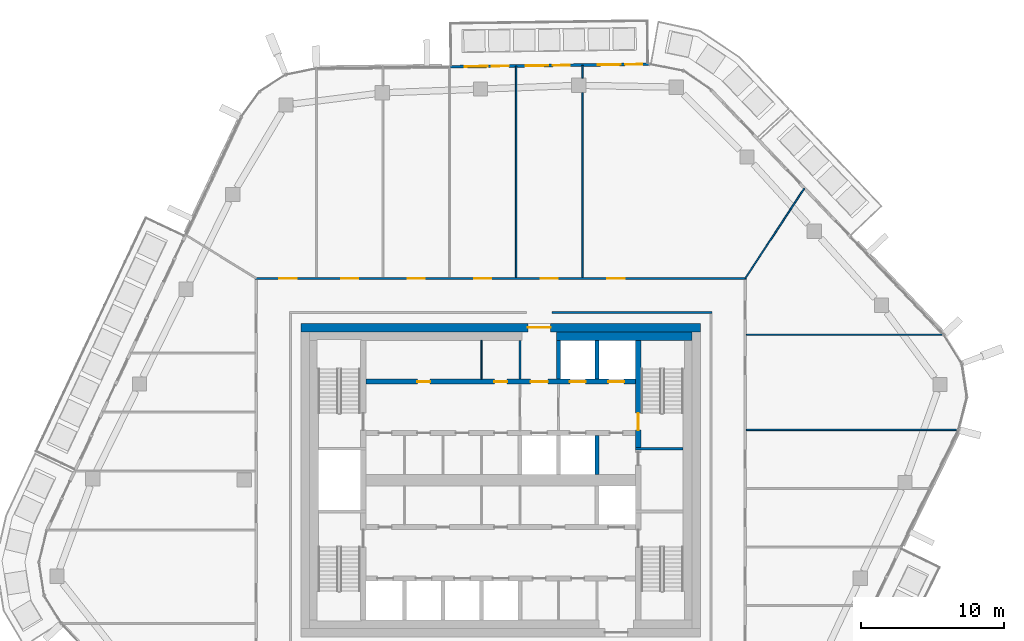
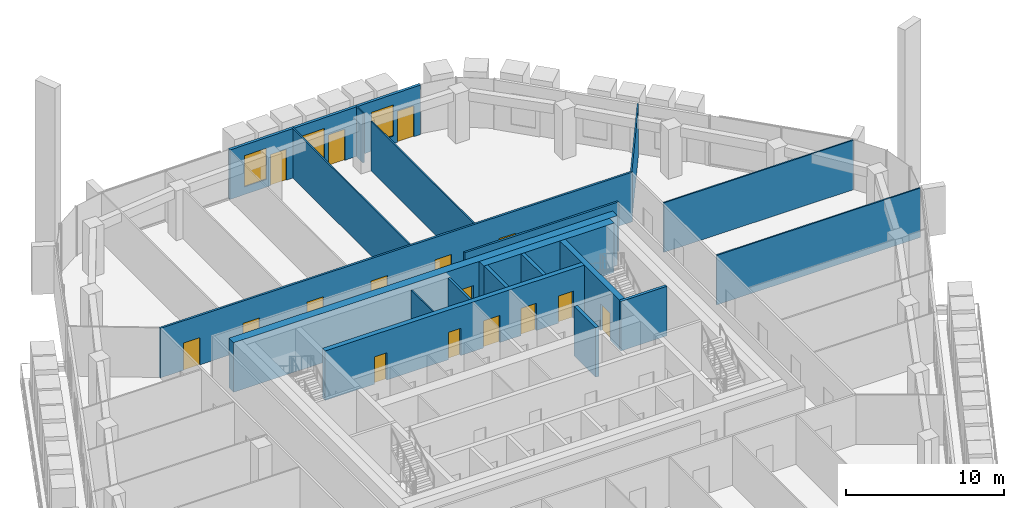
# One storey, part 16 of 24: 19 walls, 16 doors, 3 windows, 19 openings.
"""IFC4 building model written with IfcOpenShell, lengths in metres."""

from ifc_helpers import new_model, si_unit, direction, frame, frame_2d, origin, place, context, subcontext, project, spatial, rectangle, extrude, material, layer, layer_set, type_object, element, fill, save


model = new_model("IFC4")

# Units and contexts
model_context = context("Model", 3, precision=1e-05, world=origin(), true_north=direction((0.0, 1.0)))
body_context = subcontext(model_context, "Body", "Model", "MODEL_VIEW")
ifc_project = project(units=[si_unit("LENGTHUNIT", "METRE"), si_unit("AREAUNIT", "SQUARE_METRE"), si_unit("VOLUMEUNIT", "CUBIC_METRE"), si_unit("PLANEANGLEUNIT", "RADIAN"), si_unit("MASSUNIT", "GRAM", prefix="KILO")], contexts=[model_context])

# Site, building, storey
site_placement = place(None, origin())
site = spatial("IfcSite", under=ifc_project, at=site_placement, CompositionType="ELEMENT")
building_placement = place(site_placement, origin())
building = spatial("IfcBuilding", under=site, at=building_placement, Name="Dongbaek Canopy Tower", CompositionType="ELEMENT")
storey_placement = place(building_placement, frame((0.0, 0.0, 332.0)))
storey = spatial("IfcBuildingStorey", under=building, at=storey_placement, Name="L71", CompositionType="ELEMENT", Elevation=332.0)

# Wall, openings, doors
ifc_material_1 = material(Name="Concrete C60/75", Category="concrete")
ifc_layer_1 = layer(ifc_material_1, 0.35009765625)
ifc_layer_set_1 = layer_set([ifc_layer_1], Name="Core lobby wall 350 Concrete C60/75")
wall_type_1 = type_object("IfcWallType", Name="Core lobby wall 350 Concrete C60/75", PredefinedType="SHEAR", material=ifc_layer_set_1)
wall_1_placement = place(storey_placement, frame((-9.449951171875, 6.89990234375, 0.0), z_axis=(0.0, 0.0, 1.0), x_axis=(1.0, 0.0, 0.0)))
wall_1 = element("IfcWall", 1, at=wall_1_placement, inside=storey, type_object=wall_type_1, Name="Core wall", PredefinedType="SHEAR", context=body_context, shape_type="SweptSolid", body=[
    extrude(rectangle(XDim=18.89990234375, YDim=0.35009765625, at=frame_2d((9.449951171875, 0.0))), origin(), (0.0, 0.0, 1.0), 3.820068359375),
])
opening_1_placement = place(wall_1_placement, frame((11.550048828125, 0.0, 0.0)))
opening_1 = element("IfcOpeningElement", 2, at=opening_1_placement, cuts=wall_1, Name="Opening L71-D027", PredefinedType="OPENING", context=body_context, shape_type="SweptSolid", body=[
    extrude(rectangle(XDim=1.199951171875, YDim=2.10009765625, at=frame_2d((0.60009765625, 1.050048828125))), frame((0.0, 0.18505859375, 0.0), z_axis=(0.0, -1.0, 0.0), x_axis=(1.0, 0.0, 0.0)), (0.0, 0.0, 1.0), 0.3701171875),
])
opening_2_placement = place(wall_1_placement, frame((14.300048828125, 0.0, 0.0)))
opening_2 = element("IfcOpeningElement", 3, at=opening_2_placement, cuts=wall_1, Name="Opening L71-D028", PredefinedType="OPENING", context=body_context, shape_type="SweptSolid", body=[
    extrude(rectangle(XDim=1.10009765625, YDim=2.10009765625, at=frame_2d((0.550048828125, 1.050048828125))), frame((0.0, 0.18505859375, 0.0), z_axis=(0.0, -1.0, 0.0), x_axis=(1.0, 0.0, 0.0)), (0.0, 0.0, 1.0), 0.3701171875),
])
opening_3_placement = place(wall_1_placement, frame((17.0, 0.0, 0.0)))
opening_3 = element("IfcOpeningElement", 4, at=opening_3_placement, cuts=wall_1, Name="Opening L71-D029", PredefinedType="OPENING", context=body_context, shape_type="SweptSolid", body=[
    extrude(rectangle(XDim=1.10009765625, YDim=2.10009765625, at=frame_2d((0.550048828125, 1.050048828125))), frame((0.0, 0.18505859375, 0.0), z_axis=(0.0, -1.0, 0.0), x_axis=(1.0, 0.0, 0.0)), (0.0, 0.0, 1.0), 0.3701171875),
])
opening_4_placement = place(wall_1_placement, frame((3.60009765625, 0.0, 0.0)))
opening_4 = element("IfcOpeningElement", 5, at=opening_4_placement, cuts=wall_1, Name="Opening L71-D040", PredefinedType="OPENING", context=body_context, shape_type="SweptSolid", body=[
    extrude(rectangle(XDim=0.89990234375, YDim=2.10009765625, at=frame_2d((0.449951171875, 1.050048828125))), frame((0.0, 0.18505859375, 0.0), z_axis=(0.0, -1.0, 0.0), x_axis=(1.0, 0.0, 0.0)), (0.0, 0.0, 1.0), 0.3701171875),
])
opening_5_placement = place(wall_1_placement, frame((9.0, 0.0, 0.0)))
opening_5 = element("IfcOpeningElement", 6, at=opening_5_placement, cuts=wall_1, Name="Opening L71-D041", PredefinedType="OPENING", context=body_context, shape_type="SweptSolid", body=[
    extrude(rectangle(XDim=0.89990234375, YDim=2.10009765625, at=frame_2d((0.449951171875, 1.050048828125))), frame((0.0, 0.18505859375, 0.0), z_axis=(0.0, -1.0, 0.0), x_axis=(1.0, 0.0, 0.0)), (0.0, 0.0, 1.0), 0.3701171875),
])
ifc_material_2 = material(Name="Steel", Category="steel")
door_type_1 = type_object("IfcDoorType", Name="Core room door 900 x 2100", OperationType="SINGLE_SWING_LEFT", PredefinedType="DOOR", material=ifc_material_2)
door_1_placement = place(opening_4_placement, origin())
door_1 = element("IfcDoor", 7, at=door_1_placement, inside=storey, type_object=door_type_1, Name="Door L71-D040", OperationType="SINGLE_SWING_RIGHT", OverallHeight=2.10009765625, OverallWidth=0.89990234375, PredefinedType="DOOR", context=body_context, shape_type="SweptSolid", body=[
    extrude(rectangle(XDim=0.89990234375, YDim=2.10009765625, at=frame_2d((0.449951171875, 1.050048828125))), frame((0.0, 0.02490234375, 0.0), z_axis=(0.0, -1.0, 0.0), x_axis=(1.0, 0.0, 0.0)), (0.0, 0.0, 1.0), 0.050048828125),
])
fill(opening_4, door_1)
door_2_placement = place(opening_5_placement, origin())
door_2 = element("IfcDoor", 8, at=door_2_placement, inside=storey, type_object=door_type_1, Name="Door L71-D041", OperationType="SINGLE_SWING_LEFT", OverallHeight=2.10009765625, OverallWidth=0.89990234375, PredefinedType="DOOR", context=body_context, shape_type="SweptSolid", body=[
    extrude(rectangle(XDim=0.89990234375, YDim=2.10009765625, at=frame_2d((0.449951171875, 1.050048828125))), frame((0.0, 0.02490234375, 0.0), z_axis=(0.0, -1.0, 0.0), x_axis=(1.0, 0.0, 0.0)), (0.0, 0.0, 1.0), 0.050048828125),
])
fill(opening_5, door_2)
ifc_material_3 = material(Name="Steel", Category="steel")
door_type_2 = type_object("IfcDoorType", Name="Fire lobby door 1200 x 2100", OperationType="SINGLE_SWING_LEFT", PredefinedType="DOOR", material=ifc_material_3)
door_3_placement = place(opening_1_placement, origin())
door_3 = element("IfcDoor", 9, at=door_3_placement, inside=storey, type_object=door_type_2, Name="Door L71-D027", OperationType="SINGLE_SWING_LEFT", OverallHeight=2.10009765625, OverallWidth=1.199951171875, PredefinedType="DOOR", context=body_context, shape_type="SweptSolid", body=[
    extrude(rectangle(XDim=1.199951171875, YDim=2.10009765625, at=frame_2d((0.60009765625, 1.050048828125))), frame((0.0, 0.02490234375, 0.0), z_axis=(0.0, -1.0, 0.0), x_axis=(1.0, 0.0, 0.0)), (0.0, 0.0, 1.0), 0.050048828125),
])
fill(opening_1, door_3)
ifc_material_4 = material(Name="Stainless steel", Category="steel")
door_type_3 = type_object("IfcDoorType", Name="Lift landing door 1100 x 2100", OperationType="DOUBLE_DOOR_SLIDING", PredefinedType="DOOR", material=ifc_material_4)
door_4_placement = place(opening_2_placement, origin())
door_4 = element("IfcDoor", 10, at=door_4_placement, inside=storey, type_object=door_type_3, Name="Landing door FF1", OperationType="DOUBLE_DOOR_SLIDING", OverallHeight=2.10009765625, OverallWidth=1.10009765625, PredefinedType="DOOR", context=body_context, shape_type="SweptSolid", body=[
    extrude(rectangle(XDim=1.10009765625, YDim=2.10009765625, at=frame_2d((0.550048828125, 1.050048828125))), frame((0.0, 0.02490234375, 0.0), z_axis=(0.0, -1.0, 0.0), x_axis=(1.0, 0.0, 0.0)), (0.0, 0.0, 1.0), 0.050048828125),
])
fill(opening_2, door_4)
door_5_placement = place(opening_3_placement, origin())
door_5 = element("IfcDoor", 11, at=door_5_placement, inside=storey, type_object=door_type_3, Name="Landing door FF2", OperationType="DOUBLE_DOOR_SLIDING", OverallHeight=2.10009765625, OverallWidth=1.10009765625, PredefinedType="DOOR", context=body_context, shape_type="SweptSolid", body=[
    extrude(rectangle(XDim=1.10009765625, YDim=2.10009765625, at=frame_2d((0.550048828125, 1.050048828125))), frame((0.0, 0.02490234375, 0.0), z_axis=(0.0, -1.0, 0.0), x_axis=(1.0, 0.0, 0.0)), (0.0, 0.0, 1.0), 0.050048828125),
])
fill(opening_3, door_5)

# Wall, opening, door
ifc_material_5 = material(Name="Concrete C80/95", Category="concrete")
ifc_layer_2 = layer(ifc_material_5, 0.60009765625)
ifc_layer_set_2 = layer_set([ifc_layer_2], Name="Core outer wall 600 Concrete C80/95")
wall_type_2 = type_object("IfcWallType", Name="Core outer wall 600 Concrete C80/95", PredefinedType="SHEAR", material=ifc_layer_set_2)
wall_2_placement = place(storey_placement, frame((-14.0, 10.699951171875, 0.0), z_axis=(0.0, 0.0, 1.0), x_axis=(1.0, 0.0, 0.0)))
wall_2 = element("IfcWall", 12, at=wall_2_placement, inside=storey, type_object=wall_type_2, Name="Core wall", PredefinedType="SHEAR", context=body_context, shape_type="SweptSolid", body=[
    extrude(rectangle(XDim=28.0, YDim=0.60009765625, at=frame_2d((14.0, 0.0))), origin(), (0.0, 0.0, 1.0), 3.820068359375),
])
opening_6_placement = place(wall_2_placement, frame((15.89990234375, 0.0, 0.0)))
opening_6 = element("IfcOpeningElement", 13, at=opening_6_placement, cuts=wall_2, Name="Opening L71-D026", PredefinedType="OPENING", context=body_context, shape_type="SweptSolid", body=[
    extrude(rectangle(XDim=1.60009765625, YDim=2.10009765625, at=frame_2d((0.800048828125, 1.050048828125))), frame((0.0, 0.31005859375, 0.0), z_axis=(0.0, -1.0, 0.0), x_axis=(1.0, 0.0, 0.0)), (0.0, 0.0, 1.0), 0.6201171875),
])
ifc_material_6 = material(Name="Steel", Category="steel")
door_type_4 = type_object("IfcDoorType", Name="Core exit door 1600 x 2100", OperationType="DOUBLE_DOOR_SINGLE_SWING", PredefinedType="DOOR", material=ifc_material_6)
door_6_placement = place(opening_6_placement, origin())
door_6 = element("IfcDoor", 14, at=door_6_placement, inside=storey, type_object=door_type_4, Name="Core exit door", OperationType="DOUBLE_DOOR_SINGLE_SWING", OverallHeight=2.10009765625, OverallWidth=1.60009765625, PredefinedType="DOOR", context=body_context, shape_type="SweptSolid", body=[
    extrude(rectangle(XDim=1.60009765625, YDim=2.10009765625, at=frame_2d((0.800048828125, 1.050048828125))), frame((0.0, 0.02490234375, 0.0), z_axis=(0.0, -1.0, 0.0), x_axis=(1.0, 0.0, 0.0)), (0.0, 0.0, 1.0), 0.050048828125),
])
fill(opening_6, door_6)

# Walls
ifc_material_7 = material(Name="Concrete C60/75", Category="concrete")
ifc_layer_3 = layer(ifc_material_7, 0.60009765625)
ifc_layer_set_3 = layer_set([ifc_layer_3], Name="Core wall lining 600 Concrete C60/75")
wall_type_3 = type_object("IfcWallType", Name="Core wall lining 600 Concrete C60/75", PredefinedType="SHEAR", material=ifc_layer_set_3)
wall_3_placement = place(storey_placement, frame((3.89990234375, 10.10009765625, 0.0), z_axis=(0.0, 0.0, 1.0), x_axis=(1.0, 0.0, 0.0)))
element("IfcWall", 15, at=wall_3_placement, inside=storey, type_object=wall_type_3, Name="Core wall lining", PredefinedType="SHEAR", context=body_context, shape_type="SweptSolid", body=[
    extrude(rectangle(XDim=9.5, YDim=0.60009765625, at=frame_2d((4.75, 0.0))), origin(), (0.0, 0.0, 1.0), 3.820068359375),
])
ifc_material_8 = material(Name="Gypsum board partition, steel stud, 2 x 15 mm fire board", Category="steel")
ifc_layer_4 = layer(ifc_material_8, 0.14990234375)
ifc_layer_set_4 = layer_set([ifc_layer_4], Name="Fire-rated partition 150 gypsum board")
wall_type_4 = type_object("IfcWallType", Name="Fire-rated partition 150 gypsum board", PredefinedType="PARTITIONING", material=ifc_layer_set_4)
wall_4_placement = place(storey_placement, frame((3.60009765625, 11.75, 0.0), z_axis=(0.0, 0.0, 1.0), x_axis=(1.0, 0.0, 0.0)))
element("IfcWall", 16, at=wall_4_placement, inside=storey, type_object=wall_type_4, Name="Corridor partition", PredefinedType="PARTITIONING", context=body_context, shape_type="SweptSolid", body=[
    extrude(rectangle(XDim=11.224853515625, YDim=0.14990234375, at=frame_2d((5.6123046875, 0.0))), origin(), (0.0, 0.0, 1.0), 3.820068359375),
])

# Wall, openings, doors
wall_5_placement = place(storey_placement, frame((-17.22509765625, 14.14990234375, 0.0), z_axis=(0.0, 0.0, 1.0), x_axis=(1.0, 0.0, 0.0)))
wall_5 = element("IfcWall", 17, at=wall_5_placement, inside=storey, type_object=wall_type_4, Name="Corridor partition", PredefinedType="PARTITIONING", context=body_context, shape_type="SweptSolid", body=[
    extrude(rectangle(XDim=34.4501953125, YDim=0.14990234375, at=frame_2d((17.22509765625, 0.0))), origin(), (0.0, 0.0, 1.0), 3.820068359375),
])
opening_7_placement = place(wall_5_placement, frame((24.70849609375, 0.0, 0.0)))
opening_7 = element("IfcOpeningElement", 18, at=opening_7_placement, cuts=wall_5, Name="Opening L71-D016", PredefinedType="OPENING", context=body_context, shape_type="SweptSolid", body=[
    extrude(rectangle(XDim=1.199951171875, YDim=2.10009765625, at=frame_2d((0.60009765625, 1.050048828125))), frame((0.0, 0.0849609375, 0.0), z_axis=(0.0, -1.0, 0.0), x_axis=(1.0, 0.0, 0.0)), (0.0, 0.0, 1.0), 0.169921875),
])
opening_8_placement = place(wall_5_placement, frame((20.03759765625, 0.0, 0.0)))
opening_8 = element("IfcOpeningElement", 19, at=opening_8_placement, cuts=wall_5, Name="Opening L71-D017", PredefinedType="OPENING", context=body_context, shape_type="SweptSolid", body=[
    extrude(rectangle(XDim=1.199951171875, YDim=2.10009765625, at=frame_2d((0.60009765625, 1.050048828125))), frame((0.0, 0.0849609375, 0.0), z_axis=(0.0, -1.0, 0.0), x_axis=(1.0, 0.0, 0.0)), (0.0, 0.0, 1.0), 0.169921875),
])
opening_9_placement = place(wall_5_placement, frame((15.366943359375, 0.0, 0.0)))
opening_9 = element("IfcOpeningElement", 20, at=opening_9_placement, cuts=wall_5, Name="Opening L71-D018", PredefinedType="OPENING", context=body_context, shape_type="SweptSolid", body=[
    extrude(rectangle(XDim=1.199951171875, YDim=2.10009765625, at=frame_2d((0.60009765625, 1.050048828125))), frame((0.0, 0.0849609375, 0.0), z_axis=(0.0, -1.0, 0.0), x_axis=(1.0, 0.0, 0.0)), (0.0, 0.0, 1.0), 0.169921875),
])
opening_10_placement = place(wall_5_placement, frame((10.694580078125, 0.0, 0.0)))
opening_10 = element("IfcOpeningElement", 21, at=opening_10_placement, cuts=wall_5, Name="Opening L71-D019", PredefinedType="OPENING", context=body_context, shape_type="SweptSolid", body=[
    extrude(rectangle(XDim=1.199951171875, YDim=2.10009765625, at=frame_2d((0.60009765625, 1.050048828125))), frame((0.0, 0.0849609375, 0.0), z_axis=(0.0, -1.0, 0.0), x_axis=(1.0, 0.0, 0.0)), (0.0, 0.0, 1.0), 0.169921875),
])
opening_11_placement = place(wall_5_placement, frame((6.02490234375, 0.0, 0.0)))
opening_11 = element("IfcOpeningElement", 22, at=opening_11_placement, cuts=wall_5, Name="Opening L71-D020", PredefinedType="OPENING", context=body_context, shape_type="SweptSolid", body=[
    extrude(rectangle(XDim=1.199951171875, YDim=2.10009765625, at=frame_2d((0.60009765625, 1.050048828125))), frame((0.0, 0.0849609375, 0.0), z_axis=(0.0, -1.0, 0.0), x_axis=(1.0, 0.0, 0.0)), (0.0, 0.0, 1.0), 0.169921875),
])
opening_12_placement = place(wall_5_placement, frame((1.697998046875, 0.0, 0.0)))
opening_12 = element("IfcOpeningElement", 23, at=opening_12_placement, cuts=wall_5, Name="Opening L71-D021", PredefinedType="OPENING", context=body_context, shape_type="SweptSolid", body=[
    extrude(rectangle(XDim=1.199951171875, YDim=2.10009765625, at=frame_2d((0.60009765625, 1.050048828125))), frame((0.0, 0.0849609375, 0.0), z_axis=(0.0, -1.0, 0.0), x_axis=(1.0, 0.0, 0.0)), (0.0, 0.0, 1.0), 0.169921875),
])
ifc_material_9 = material(Name="Timber veneered door leaf", Category="wood")
door_type_5 = type_object("IfcDoorType", Name="Room door 1200 x 2100", OperationType="SINGLE_SWING_LEFT", PredefinedType="DOOR", material=ifc_material_9)
door_7_placement = place(opening_7_placement, origin())
door_7 = element("IfcDoor", 24, at=door_7_placement, inside=storey, type_object=door_type_5, Name="Door L71-D016", OperationType="SINGLE_SWING_LEFT", OverallHeight=2.10009765625, OverallWidth=1.199951171875, PredefinedType="DOOR", context=body_context, shape_type="SweptSolid", body=[
    extrude(rectangle(XDim=1.199951171875, YDim=2.10009765625, at=frame_2d((0.60009765625, 1.050048828125))), frame((0.0, 0.02490234375, 0.0), z_axis=(0.0, -1.0, 0.0), x_axis=(1.0, 0.0, 0.0)), (0.0, 0.0, 1.0), 0.050048828125),
])
fill(opening_7, door_7)
door_8_placement = place(opening_8_placement, origin())
door_8 = element("IfcDoor", 25, at=door_8_placement, inside=storey, type_object=door_type_5, Name="Door L71-D017", OperationType="SINGLE_SWING_RIGHT", OverallHeight=2.10009765625, OverallWidth=1.199951171875, PredefinedType="DOOR", context=body_context, shape_type="SweptSolid", body=[
    extrude(rectangle(XDim=1.199951171875, YDim=2.10009765625, at=frame_2d((0.60009765625, 1.050048828125))), frame((0.0, 0.02490234375, 0.0), z_axis=(0.0, -1.0, 0.0), x_axis=(1.0, 0.0, 0.0)), (0.0, 0.0, 1.0), 0.050048828125),
])
fill(opening_8, door_8)
door_9_placement = place(opening_9_placement, origin())
door_9 = element("IfcDoor", 26, at=door_9_placement, inside=storey, type_object=door_type_5, Name="Door L71-D018", OperationType="SINGLE_SWING_LEFT", OverallHeight=2.10009765625, OverallWidth=1.199951171875, PredefinedType="DOOR", context=body_context, shape_type="SweptSolid", body=[
    extrude(rectangle(XDim=1.199951171875, YDim=2.10009765625, at=frame_2d((0.60009765625, 1.050048828125))), frame((0.0, 0.02490234375, 0.0), z_axis=(0.0, -1.0, 0.0), x_axis=(1.0, 0.0, 0.0)), (0.0, 0.0, 1.0), 0.050048828125),
])
fill(opening_9, door_9)
door_10_placement = place(opening_10_placement, origin())
door_10 = element("IfcDoor", 27, at=door_10_placement, inside=storey, type_object=door_type_5, Name="Door L71-D019", OperationType="SINGLE_SWING_RIGHT", OverallHeight=2.10009765625, OverallWidth=1.199951171875, PredefinedType="DOOR", context=body_context, shape_type="SweptSolid", body=[
    extrude(rectangle(XDim=1.199951171875, YDim=2.10009765625, at=frame_2d((0.60009765625, 1.050048828125))), frame((0.0, 0.02490234375, 0.0), z_axis=(0.0, -1.0, 0.0), x_axis=(1.0, 0.0, 0.0)), (0.0, 0.0, 1.0), 0.050048828125),
])
fill(opening_10, door_10)
door_11_placement = place(opening_11_placement, origin())
door_11 = element("IfcDoor", 28, at=door_11_placement, inside=storey, type_object=door_type_5, Name="Door L71-D020", OperationType="SINGLE_SWING_LEFT", OverallHeight=2.10009765625, OverallWidth=1.199951171875, PredefinedType="DOOR", context=body_context, shape_type="SweptSolid", body=[
    extrude(rectangle(XDim=1.199951171875, YDim=2.10009765625, at=frame_2d((0.60009765625, 1.050048828125))), frame((0.0, 0.02490234375, 0.0), z_axis=(0.0, -1.0, 0.0), x_axis=(1.0, 0.0, 0.0)), (0.0, 0.0, 1.0), 0.050048828125),
])
fill(opening_11, door_11)
door_12_placement = place(opening_12_placement, origin())
door_12 = element("IfcDoor", 29, at=door_12_placement, inside=storey, type_object=door_type_5, Name="Door L71-D021", OperationType="SINGLE_SWING_RIGHT", OverallHeight=2.10009765625, OverallWidth=1.199951171875, PredefinedType="DOOR", context=body_context, shape_type="SweptSolid", body=[
    extrude(rectangle(XDim=1.199951171875, YDim=2.10009765625, at=frame_2d((0.60009765625, 1.050048828125))), frame((0.0, 0.02490234375, 0.0), z_axis=(0.0, -1.0, 0.0), x_axis=(1.0, 0.0, 0.0)), (0.0, 0.0, 1.0), 0.050048828125),
])
fill(opening_12, door_12)

# Walls
wall_6_placement = place(storey_placement, frame((1.35009765625, 7.074951171875, 0.0), z_axis=(0.0, 0.0, 1.0), x_axis=(0.0, 1.0, 0.0)))
element("IfcWall", 30, at=wall_6_placement, inside=storey, type_object=wall_type_4, Name="Fire lobby partition", PredefinedType="PARTITIONING", context=body_context, shape_type="SweptSolid", body=[
    extrude(rectangle(XDim=2.72509765625, YDim=0.14990234375, at=frame_2d((1.362548828125, 0.0))), origin(), (0.0, 0.0, 1.0), 3.820068359375),
])
ifc_material_10 = material(Name="Concrete C40/50", Category="concrete")
ifc_layer_5 = layer(ifc_material_10, 0.25)
ifc_layer_set_5 = layer_set([ifc_layer_5], Name="Lift shaft wall 250 Concrete C40/50")
wall_type_5 = type_object("IfcWallType", Name="Lift shaft wall 250 Concrete C40/50", PredefinedType="SOLIDWALL", material=ifc_layer_set_5)
for number, where, z_axis, x_axis, name in (
    (31, (6.75, 0.39990234375, 0.0), (0.0, 0.0, 1.0), (0.0, 1.0, 0.0), "Lift shaft wall"),
    (32, (6.75, 7.074951171875, 0.0), (0.0, 0.0, 1.0), (0.0, 1.0, 0.0), "Lift shaft wall"),
    (33, (4.050048828125, 7.074951171875, 0.0), (0.0, 0.0, 1.0), (0.0, 1.0, 0.0), "Lift shaft wall"),
):
    element("IfcWall", number, at=place(storey_placement, frame(where, z_axis=z_axis, x_axis=x_axis)), inside=storey, type_object=wall_type_5, Name=name, PredefinedType="SOLIDWALL", context=body_context, shape_type="SweptSolid", body=[
        extrude(rectangle(XDim=2.72509765625, YDim=0.25, at=frame_2d((1.362548828125, 0.0))), origin(), (0.0, 0.0, 1.0), 3.820068359375),
    ])
ifc_material_11 = material(Name="Gypsum board partition, steel stud, 2 x 12.5 mm board", Category="steel")
ifc_layer_6 = layer(ifc_material_11, 0.10009765625)
ifc_layer_set_6 = layer_set([ifc_layer_6], Name="Partition 100 gypsum board")
wall_type_6 = type_object("IfcWallType", Name="Partition 100 gypsum board", PredefinedType="PARTITIONING", material=ifc_layer_set_6)
wall_7_placement = place(storey_placement, frame((17.22509765625, 3.52197265625, 0.0), z_axis=(0.0, 0.0, 1.0), x_axis=(1.0, 0.0, 0.0)))
element("IfcWall", 34, at=wall_7_placement, inside=storey, type_object=wall_type_6, Name="Partition", PredefinedType="PARTITIONING", context=body_context, shape_type="SweptSolid", body=[
    extrude(rectangle(XDim=14.8544921875, YDim=0.10009765625, at=frame_2d((7.42724609375, 0.0))), origin(), (0.0, 0.0, 1.0), 3.820068359375),
])
wall_8_placement = place(storey_placement, frame((17.22509765625, 10.194091796875, 0.0), z_axis=(0.0, 0.0, 1.0), x_axis=(1.0, 0.0, 0.0)))
element("IfcWall", 35, at=wall_8_placement, inside=storey, type_object=wall_type_6, Name="Partition", PredefinedType="PARTITIONING", context=body_context, shape_type="SweptSolid", body=[
    extrude(rectangle(XDim=13.823486328125, YDim=0.10009765625, at=frame_2d((6.91162109375, 0.0))), origin(), (0.0, 0.0, 1.0), 3.820068359375),
])
wall_9_placement = place(storey_placement, frame((17.150146484375, 14.14990234375, 0.0), z_axis=(0.0, 0.0, 1.0), x_axis=(0.548731307267, 0.835998775373, 0.0)))
element("IfcWall", 36, at=wall_9_placement, inside=storey, type_object=wall_type_6, Name="Partition", PredefinedType="PARTITIONING", context=body_context, shape_type="SweptSolid", body=[
    extrude(rectangle(XDim=7.55029296875, YDim=0.10009765625, at=frame_2d((3.775146484375, 0.0))), origin(), (0.0, 0.0, 1.0), 3.820068359375),
])
wall_10_placement = place(storey_placement, frame((5.748046875, 14.22509765625, 0.0), z_axis=(0.0, 0.0, 1.0), x_axis=(0.0, 1.0, 0.0)))
element("IfcWall", 37, at=wall_10_placement, inside=storey, type_object=wall_type_6, Name="Partition", PredefinedType="PARTITIONING", context=body_context, shape_type="SweptSolid", body=[
    extrude(rectangle(XDim=12.966796875, YDim=0.10009765625, at=frame_2d((6.4833984375, 0.0))), origin(), (0.0, 0.0, 1.0), 3.820068359375),
])
wall_11_placement = place(storey_placement, frame((5.748046875, 28.19189453125, 0.0), z_axis=(0.0, 0.0, 1.0), x_axis=(0.0, 1.0, 0.0)))
element("IfcWall", 38, at=wall_11_placement, inside=storey, type_object=wall_type_6, Name="Partition", PredefinedType="PARTITIONING", context=body_context, shape_type="SweptSolid", body=[
    extrude(rectangle(XDim=0.903076171875, YDim=0.10009765625, at=frame_2d((0.45166015625, 0.0))), origin(), (0.0, 0.0, 1.0), 3.820068359375),
])
wall_12_placement = place(storey_placement, frame((1.076904296875, 14.22509765625, 0.0), z_axis=(0.0, 0.0, 1.0), x_axis=(0.0, 1.0, 0.0)))
element("IfcWall", 39, at=wall_12_placement, inside=storey, type_object=wall_type_6, Name="Partition", PredefinedType="PARTITIONING", context=body_context, shape_type="SweptSolid", body=[
    extrude(rectangle(XDim=14.808349609375, YDim=0.10009765625, at=frame_2d((7.404296875, 0.0))), origin(), (0.0, 0.0, 1.0), 3.820068359375),
])
wall_13_placement = place(storey_placement, frame((-1.35009765625, 7.074951171875, 0.0), z_axis=(0.0, 0.0, 1.0), x_axis=(0.0, 1.0, 0.0)))
element("IfcWall", 40, at=wall_13_placement, inside=storey, type_object=wall_type_6, Name="Core partition", PredefinedType="PARTITIONING", context=body_context, shape_type="SweptSolid", body=[
    extrude(rectangle(XDim=2.72509765625, YDim=0.10009765625, at=frame_2d((1.362548828125, 0.0))), origin(), (0.0, 0.0, 1.0), 3.820068359375),
])
ifc_material_12 = material(Name="Concrete C60/75", Category="concrete")
ifc_layer_7 = layer(ifc_material_12, 0.199951171875)
ifc_layer_set_7 = layer_set([ifc_layer_7], Name="Riser wall 200 Concrete C60/75")
wall_type_7 = type_object("IfcWallType", Name="Riser wall 200 Concrete C60/75", PredefinedType="SHEAR", material=ifc_layer_set_7)
wall_14_placement = place(storey_placement, frame((9.449951171875, 2.199951171875, 0.0), z_axis=(0.0, 0.0, 1.0), x_axis=(1.0, 0.0, 0.0)))
element("IfcWall", 41, at=wall_14_placement, inside=storey, type_object=wall_type_7, Name="Riser wall", PredefinedType="SHEAR", context=body_context, shape_type="SweptSolid", body=[
    extrude(rectangle(XDim=3.35009765625, YDim=0.199951171875, at=frame_2d((1.675048828125, 0.0))), origin(), (0.0, 0.0, 1.0), 3.820068359375),
])

# Wall, opening, door
ifc_material_13 = material(Name="Concrete C60/75", Category="concrete")
ifc_layer_8 = layer(ifc_material_13, 0.39990234375)
ifc_layer_set_8 = layer_set([ifc_layer_8], Name="Stair wall 400 Concrete C60/75")
wall_type_8 = type_object("IfcWallType", Name="Stair wall 400 Concrete C60/75", PredefinedType="SHEAR", material=ifc_layer_set_8)
wall_15_placement = place(storey_placement, frame((9.64990234375, 9.800048828125, 0.0), z_axis=(0.0, 0.0, 1.0), x_axis=(0.0, -1.0, 0.0)))
wall_15 = element("IfcWall", 42, at=wall_15_placement, inside=storey, type_object=wall_type_8, Name="Stair wall", PredefinedType="SHEAR", context=body_context, shape_type="SweptSolid", body=[
    extrude(rectangle(XDim=7.5, YDim=0.39990234375, at=frame_2d((3.75, 0.0))), origin(), (0.0, 0.0, 1.0), 3.820068359375),
])
opening_13_placement = place(wall_15_placement, frame((5.10009765625, 0.0, 0.0)))
opening_13 = element("IfcOpeningElement", 43, at=opening_13_placement, cuts=wall_15, Name="Opening L71-D052", PredefinedType="OPENING", context=body_context, shape_type="SweptSolid", body=[
    extrude(rectangle(XDim=1.199951171875, YDim=2.10009765625, at=frame_2d((0.60009765625, 1.050048828125))), frame((0.0, 0.2099609375, 0.0), z_axis=(0.0, -1.0, 0.0), x_axis=(1.0, 0.0, 0.0)), (0.0, 0.0, 1.0), 0.419921875),
])
ifc_material_14 = material(Name="Steel", Category="steel")
door_type_6 = type_object("IfcDoorType", Name="Stair door 1200 x 2100", OperationType="SINGLE_SWING_LEFT", PredefinedType="DOOR", material=ifc_material_14)
door_13_placement = place(opening_13_placement, origin())
door_13 = element("IfcDoor", 44, at=door_13_placement, inside=storey, type_object=door_type_6, Name="Stair A door", OperationType="SINGLE_SWING_LEFT", OverallHeight=2.10009765625, OverallWidth=1.199951171875, PredefinedType="DOOR", context=body_context, shape_type="SweptSolid", body=[
    extrude(rectangle(XDim=1.199951171875, YDim=2.10009765625, at=frame_2d((0.60009765625, 1.050048828125))), frame((0.0, 0.02490234375, 0.0), z_axis=(0.0, -1.0, 0.0), x_axis=(1.0, 0.0, 0.0)), (0.0, 0.0, 1.0), 0.050048828125),
])
fill(opening_13, door_13)

# Wall, openings, doors, windows
ifc_material_15 = material(Name="Aluminium window wall", Category="aluminium")
ifc_layer_9 = layer(ifc_material_15, 0.199951171875)
ifc_layer_set_9 = layer_set([ifc_layer_9], Name="Window wall 200")
wall_type_9 = type_object("IfcWallType", Name="Window wall 200", PredefinedType="SOLIDWALL", material=ifc_layer_set_9)
wall_16_placement = place(storey_placement, frame((10.4189453125, 29.176513671875, 0.0), z_axis=(0.0, 0.0, 1.0), x_axis=(-0.999913262087, -0.013170736582, 0.0)))
wall_16 = element("IfcWall", 45, at=wall_16_placement, inside=storey, type_object=wall_type_9, Name="Window wall L71 2", PredefinedType="SOLIDWALL", context=body_context, shape_type="SweptSolid", body=[
    extrude(rectangle(XDim=14.013671875, YDim=0.199951171875, at=frame_2d((7.0068359375, 0.0))), origin(), (0.0, 0.0, 1.0), 3.820068359375),
])
opening_14_placement = place(wall_16_placement, frame((2.0, 0.0, 0.60009765625)))
opening_14 = element("IfcOpeningElement", 46, at=opening_14_placement, cuts=wall_16, Name="Opening W1", PredefinedType="OPENING", context=body_context, shape_type="SweptSolid", body=[
    extrude(rectangle(XDim=1.60009765625, YDim=2.39990234375, at=frame_2d((0.800048828125, 1.199951171875))), frame((0.0, 0.10986328125, 0.0), z_axis=(0.0, -1.0, 0.0), x_axis=(1.0, 0.0, 0.0)), (0.0, 0.0, 1.0), 0.219970703125),
])
opening_15_placement = place(wall_16_placement, frame((0.5, 0.0, 0.0)))
opening_15 = element("IfcOpeningElement", 47, at=opening_15_placement, cuts=wall_16, Name="Opening L71-B04", PredefinedType="OPENING", context=body_context, shape_type="SweptSolid", body=[
    extrude(rectangle(XDim=1.199951171875, YDim=2.39990234375, at=frame_2d((0.60009765625, 1.199951171875))), frame((0.0, 0.10986328125, 0.0), z_axis=(0.0, -1.0, 0.0), x_axis=(1.0, 0.0, 0.0)), (0.0, 0.0, 1.0), 0.219970703125),
])
opening_16_placement = place(wall_16_placement, frame((7.0712890625, 0.0, 0.60009765625)))
opening_16 = element("IfcOpeningElement", 48, at=opening_16_placement, cuts=wall_16, Name="Opening W1", PredefinedType="OPENING", context=body_context, shape_type="SweptSolid", body=[
    extrude(rectangle(XDim=1.60009765625, YDim=2.39990234375, at=frame_2d((0.800048828125, 1.199951171875))), frame((0.0, 0.10986328125, 0.0), z_axis=(0.0, -1.0, 0.0), x_axis=(1.0, 0.0, 0.0)), (0.0, 0.0, 1.0), 0.219970703125),
])
opening_17_placement = place(wall_16_placement, frame((5.5712890625, 0.0, 0.0)))
opening_17 = element("IfcOpeningElement", 49, at=opening_17_placement, cuts=wall_16, Name="Opening L71-B05", PredefinedType="OPENING", context=body_context, shape_type="SweptSolid", body=[
    extrude(rectangle(XDim=1.199951171875, YDim=2.39990234375, at=frame_2d((0.60009765625, 1.199951171875))), frame((0.0, 0.10986328125, 0.0), z_axis=(0.0, -1.0, 0.0), x_axis=(1.0, 0.0, 0.0)), (0.0, 0.0, 1.0), 0.219970703125),
])
opening_18_placement = place(wall_16_placement, frame((11.34228515625, 0.0, 0.60009765625)))
opening_18 = element("IfcOpeningElement", 50, at=opening_18_placement, cuts=wall_16, Name="Opening W1", PredefinedType="OPENING", context=body_context, shape_type="SweptSolid", body=[
    extrude(rectangle(XDim=1.60009765625, YDim=2.39990234375, at=frame_2d((0.800048828125, 1.199951171875))), frame((0.0, 0.10986328125, 0.0), z_axis=(0.0, -1.0, 0.0), x_axis=(1.0, 0.0, 0.0)), (0.0, 0.0, 1.0), 0.219970703125),
])
opening_19_placement = place(wall_16_placement, frame((9.84228515625, 0.0, 0.0)))
opening_19 = element("IfcOpeningElement", 51, at=opening_19_placement, cuts=wall_16, Name="Opening L71-B06", PredefinedType="OPENING", context=body_context, shape_type="SweptSolid", body=[
    extrude(rectangle(XDim=1.199951171875, YDim=2.39990234375, at=frame_2d((0.60009765625, 1.199951171875))), frame((0.0, 0.10986328125, 0.0), z_axis=(0.0, -1.0, 0.0), x_axis=(1.0, 0.0, 0.0)), (0.0, 0.0, 1.0), 0.219970703125),
])
ifc_material_16 = material(Name="Clear glazing in aluminium frame", Category="aluminium")
door_type_7 = type_object("IfcDoorType", Name="Balcony door BD1 1200 x 2400", OperationType="SLIDING_TO_LEFT", PredefinedType="DOOR", material=ifc_material_16)
door_14_placement = place(opening_15_placement, origin())
door_14 = element("IfcDoor", 52, at=door_14_placement, inside=storey, type_object=door_type_7, Name="Balcony door L71-B04", OperationType="SLIDING_TO_LEFT", OverallHeight=2.39990234375, OverallWidth=1.199951171875, PredefinedType="DOOR", context=body_context, shape_type="SweptSolid", body=[
    extrude(rectangle(XDim=1.199951171875, YDim=2.39990234375, at=frame_2d((0.60009765625, 1.199951171875))), frame((0.0, 0.02490234375, 0.0), z_axis=(0.0, -1.0, 0.0), x_axis=(1.0, 0.0, 0.0)), (0.0, 0.0, 1.0), 0.050048828125),
])
fill(opening_15, door_14)
door_15_placement = place(opening_17_placement, origin())
door_15 = element("IfcDoor", 53, at=door_15_placement, inside=storey, type_object=door_type_7, Name="Balcony door L71-B05", OperationType="SLIDING_TO_LEFT", OverallHeight=2.39990234375, OverallWidth=1.199951171875, PredefinedType="DOOR", context=body_context, shape_type="SweptSolid", body=[
    extrude(rectangle(XDim=1.199951171875, YDim=2.39990234375, at=frame_2d((0.60009765625, 1.199951171875))), frame((0.0, 0.02490234375, 0.0), z_axis=(0.0, -1.0, 0.0), x_axis=(1.0, 0.0, 0.0)), (0.0, 0.0, 1.0), 0.050048828125),
])
fill(opening_17, door_15)
door_16_placement = place(opening_19_placement, origin())
door_16 = element("IfcDoor", 54, at=door_16_placement, inside=storey, type_object=door_type_7, Name="Balcony door L71-B06", OperationType="SLIDING_TO_LEFT", OverallHeight=2.39990234375, OverallWidth=1.199951171875, PredefinedType="DOOR", context=body_context, shape_type="SweptSolid", body=[
    extrude(rectangle(XDim=1.199951171875, YDim=2.39990234375, at=frame_2d((0.60009765625, 1.199951171875))), frame((0.0, 0.02490234375, 0.0), z_axis=(0.0, -1.0, 0.0), x_axis=(1.0, 0.0, 0.0)), (0.0, 0.0, 1.0), 0.050048828125),
])
fill(opening_19, door_16)
ifc_material_17 = material(Name="Clear glazing in aluminium frame", Category="aluminium")
window_type = type_object("IfcWindowType", Name="Window W1 1600 x 2400", PartitioningType="SINGLE_PANEL", PredefinedType="WINDOW", material=ifc_material_17)
window_1_placement = place(opening_14_placement, origin())
window_1 = element("IfcWindow", 55, at=window_1_placement, inside=storey, type_object=window_type, Name="Window L71 2.1", OverallHeight=2.39990234375, OverallWidth=1.60009765625, PartitioningType="SINGLE_PANEL", PredefinedType="WINDOW", context=body_context, shape_type="SweptSolid", body=[
    extrude(rectangle(XDim=1.60009765625, YDim=2.39990234375, at=frame_2d((0.800048828125, 1.199951171875))), frame((0.0, 0.030029296875, 0.0), z_axis=(0.0, -1.0, 0.0), x_axis=(1.0, 0.0, 0.0)), (0.0, 0.0, 1.0), 0.06005859375),
])
fill(opening_14, window_1)
window_2_placement = place(opening_16_placement, origin())
window_2 = element("IfcWindow", 56, at=window_2_placement, inside=storey, type_object=window_type, Name="Window L71 2.2", OverallHeight=2.39990234375, OverallWidth=1.60009765625, PartitioningType="SINGLE_PANEL", PredefinedType="WINDOW", context=body_context, shape_type="SweptSolid", body=[
    extrude(rectangle(XDim=1.60009765625, YDim=2.39990234375, at=frame_2d((0.800048828125, 1.199951171875))), frame((0.0, 0.030029296875, 0.0), z_axis=(0.0, -1.0, 0.0), x_axis=(1.0, 0.0, 0.0)), (0.0, 0.0, 1.0), 0.06005859375),
])
fill(opening_16, window_2)
window_3_placement = place(opening_18_placement, origin())
window_3 = element("IfcWindow", 57, at=window_3_placement, inside=storey, type_object=window_type, Name="Window L71 2.3", OverallHeight=2.39990234375, OverallWidth=1.60009765625, PartitioningType="SINGLE_PANEL", PredefinedType="WINDOW", context=body_context, shape_type="SweptSolid", body=[
    extrude(rectangle(XDim=1.60009765625, YDim=2.39990234375, at=frame_2d((0.800048828125, 1.199951171875))), frame((0.0, 0.030029296875, 0.0), z_axis=(0.0, -1.0, 0.0), x_axis=(1.0, 0.0, 0.0)), (0.0, 0.0, 1.0), 0.06005859375),
])
fill(opening_18, window_3)

save(model, "model.ifc")
